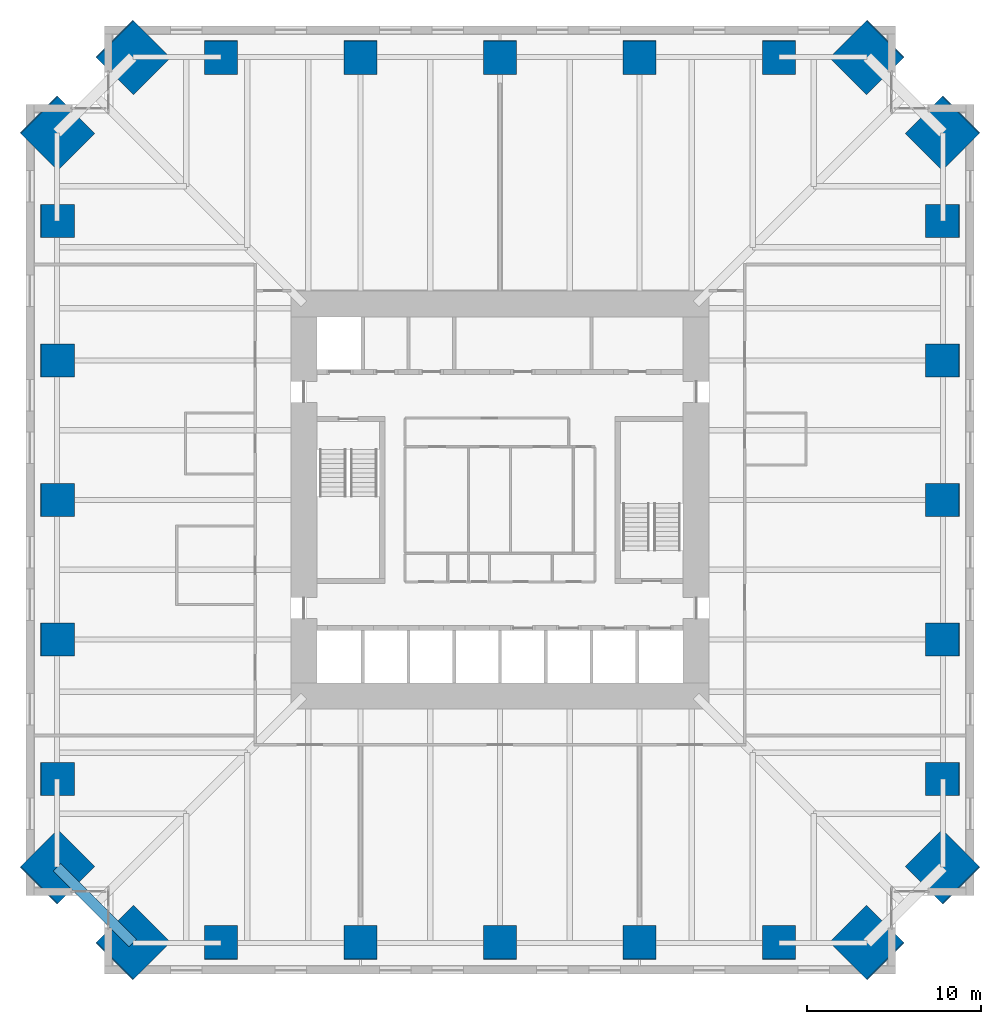
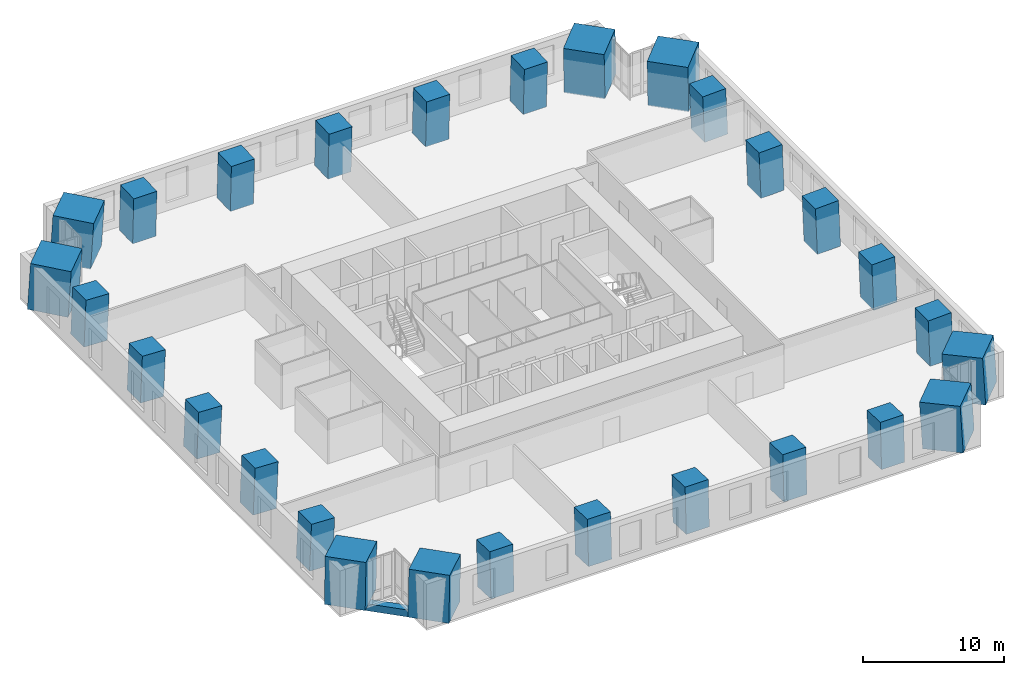
# One storey, part 1 of 16: 28 columns, 1 beam.
"""IFC4 building model written with IfcOpenShell, lengths in metres."""

from ifc_helpers import new_model, si_unit, direction, frame, origin, origin_2d, place, context, subcontext, project, spatial, rectangle, hollow_rectangle, extrude, material, material_profile, profile_set, type_object, element, save


model = new_model("IFC4")

# Units and contexts
model_context = context("Model", 3, precision=1e-05, world=origin(), true_north=direction((0.0, 1.0)))
body_context = subcontext(model_context, "Body", "Model", "MODEL_VIEW")
ifc_project = project(units=[si_unit("LENGTHUNIT", "METRE"), si_unit("AREAUNIT", "SQUARE_METRE"), si_unit("VOLUMEUNIT", "CUBIC_METRE"), si_unit("PLANEANGLEUNIT", "RADIAN"), si_unit("MASSUNIT", "GRAM", prefix="KILO")], contexts=[model_context])

# Site, building, storey
site_placement = place(None, origin())
site = spatial("IfcSite", under=ifc_project, at=site_placement, CompositionType="ELEMENT")
building_placement = place(site_placement, origin())
building = spatial("IfcBuilding", under=site, at=building_placement, Name="Peilmerk Tower", CompositionType="ELEMENT")
storey_placement = place(building_placement, frame((0.0, 0.0, 135.800048828125)))
storey = spatial("IfcBuildingStorey", under=building, at=storey_placement, Name="L27", CompositionType="ELEMENT", Elevation=135.800048828125)

# Columns
ifc_material_1 = material(Name="Concrete C90/105", Category="concrete")
ifc_material_profile_1 = material_profile(ifc_material_1, rectangle(XDim=3.0, YDim=3.0, at=origin_2d()), Name="RC 3000x3000")
ifc_profile_set_1 = profile_set([ifc_material_profile_1], Name="Concrete C90/105")
column_type_1 = type_object("IfcColumnType", Name="MC2 3000x3000 encased mega column", PredefinedType="COLUMN", material=ifc_profile_set_1)
for number, where, z_axis, x_axis, name in (
    (1, (21.071044921875, 25.4208984375, 0.0), (-0.040278830354, -0.040217894151, 0.998378754189), (0.706571297296, -0.707641859868, 0.0), "Mega column MC2 NE_N L27"),
    (2, (25.4208984375, 21.071044921875, 0.0), (-0.040217894151, -0.040278830354, 0.998378754189), (0.707641859868, -0.706571297296, 0.0), "Mega column MC2 NE_E L27"),
    (3, (25.4208984375, -21.071044921875, 0.0), (-0.040217894151, 0.040278830354, 0.998378754189), (-0.707641859868, -0.706571297296, 0.0), "Mega column MC2 SE_E L27"),
    (4, (21.071044921875, -25.4208984375, 0.0), (-0.040278830354, 0.040217894151, 0.998378754189), (-0.706571297296, -0.707641859868, 0.0), "Mega column MC2 SE_S L27"),
    (5, (-21.071044921875, -25.4208984375, 0.0), (0.040278830354, 0.040217894151, 0.998378754189), (-0.706571297296, 0.707641859868, 0.0), "Mega column MC2 SW_S L27"),
    (6, (-25.4208984375, -21.071044921875, 0.0), (0.040217894151, 0.040278830354, 0.998378754189), (-0.707641859868, 0.706571297296, 0.0), "Mega column MC2 SW_W L27"),
    (7, (-25.4208984375, 21.071044921875, 0.0), (0.040217894151, -0.040278830354, 0.998378754189), (0.707641859868, 0.706571297296, 0.0), "Mega column MC2 NW_W L27"),
    (8, (-21.071044921875, 25.4208984375, 0.0), (0.040278830354, -0.040217894151, 0.998378754189), (0.706571297296, 0.707641859868, 0.0), "Mega column MC2 NW_N L27"),
):
    element("IfcColumn", number, at=place(storey_placement, frame(where, z_axis=z_axis, x_axis=x_axis)), inside=storey, type_object=column_type_1, Name=name, PredefinedType="COLUMN", context=body_context, shape_type="SweptSolid", body=[
        extrude(rectangle(XDim=3.0, YDim=3.0, at=origin_2d()), origin(), (0.0, 0.0, 1.0), 4.006591796875),
    ])
ifc_material_profile_2 = material_profile(ifc_material_1, rectangle(XDim=1.89990234375, YDim=1.89990234375, at=origin_2d()), Name="RC 1900x1900")
ifc_profile_set_2 = profile_set([ifc_material_profile_2], Name="Concrete C90/105")
column_type_2 = type_object("IfcColumnType", Name="SC5 1900x1900 encased perimeter column", PredefinedType="COLUMN", material=ifc_profile_set_2)
for number, where, z_axis, x_axis, name in (
    (9, (0.0, 25.4208984375, 0.0), (0.0, -0.040250558339, 0.999189617917), (1.0, 0.0, 0.0), "Perimeter column N+0 L27"),
    (10, (8.0, 25.4208984375, 0.0), (0.0, -0.040250558339, 0.999189617917), (1.0, 0.0, 0.0), "Perimeter column N-8 L27"),
    (11, (-8.0, 25.4208984375, 0.0), (0.0, -0.040250558339, 0.999189617917), (1.0, 0.0, 0.0), "Perimeter column N+8 L27"),
    (12, (16.0, 25.4208984375, 0.0), (0.0, -0.040250558339, 0.999189617917), (1.0, 0.0, 0.0), "Perimeter column N-16 L27"),
    (13, (-16.0, 25.4208984375, 0.0), (0.0, -0.040250558339, 0.999189617917), (1.0, 0.0, 0.0), "Perimeter column N+16 L27"),
    (14, (25.4208984375, 0.0, 0.0), (-0.040250558339, 0.0, 0.999189617917), (0.0, -1.0, 0.0), "Perimeter column E+0 L27"),
    (15, (25.4208984375, -8.0, 0.0), (-0.040250558339, 0.0, 0.999189617917), (0.0, -1.0, 0.0), "Perimeter column E-8 L27"),
    (16, (25.4208984375, 8.0, 0.0), (-0.040250558339, 0.0, 0.999189617917), (0.0, -1.0, 0.0), "Perimeter column E+8 L27"),
    (17, (25.4208984375, -16.0, 0.0), (-0.040250558339, 0.0, 0.999189617917), (0.0, -1.0, 0.0), "Perimeter column E-16 L27"),
    (18, (25.4208984375, 16.0, 0.0), (-0.040250558339, 0.0, 0.999189617917), (0.0, -1.0, 0.0), "Perimeter column E+16 L27"),
    (19, (0.0, -25.4208984375, 0.0), (0.0, 0.040250558339, 0.999189617917), (-1.0, 0.0, 0.0), "Perimeter column S+0 L27"),
    (20, (-8.0, -25.4208984375, 0.0), (0.0, 0.040250558339, 0.999189617917), (-1.0, 0.0, 0.0), "Perimeter column S-8 L27"),
    (21, (8.0, -25.4208984375, 0.0), (0.0, 0.040250558339, 0.999189617917), (-1.0, 0.0, 0.0), "Perimeter column S+8 L27"),
    (22, (-16.0, -25.4208984375, 0.0), (0.0, 0.040250558339, 0.999189617917), (-1.0, 0.0, 0.0), "Perimeter column S-16 L27"),
    (23, (16.0, -25.4208984375, 0.0), (0.0, 0.040250558339, 0.999189617917), (-1.0, 0.0, 0.0), "Perimeter column S+16 L27"),
    (24, (-25.4208984375, 0.0, 0.0), (0.040250558339, 0.0, 0.999189617917), (0.0, 1.0, 0.0), "Perimeter column W+0 L27"),
    (25, (-25.4208984375, 8.0, 0.0), (0.040250558339, 0.0, 0.999189617917), (0.0, 1.0, 0.0), "Perimeter column W-8 L27"),
    (26, (-25.4208984375, -8.0, 0.0), (0.040250558339, 0.0, 0.999189617917), (0.0, 1.0, 0.0), "Perimeter column W+8 L27"),
    (27, (-25.4208984375, 16.0, 0.0), (0.040250558339, 0.0, 0.999189617917), (0.0, 1.0, 0.0), "Perimeter column W-16 L27"),
    (28, (-25.4208984375, -16.0, 0.0), (0.040250558339, 0.0, 0.999189617917), (0.0, 1.0, 0.0), "Perimeter column W+16 L27"),
):
    element("IfcColumn", number, at=place(storey_placement, frame(where, z_axis=z_axis, x_axis=x_axis)), inside=storey, type_object=column_type_2, Name=name, PredefinedType="COLUMN", context=body_context, shape_type="SweptSolid", body=[
        extrude(rectangle(XDim=1.89990234375, YDim=1.89990234375, at=origin_2d()), origin(), (0.0, 0.0, 1.0), 4.003173828125),
    ])

# Beam
ifc_material_2 = material(Name="Steel S460", Category="steel")
ifc_material_profile_3 = material_profile(ifc_material_2, hollow_rectangle(XDim=0.60009765625, YDim=0.60009765625, WallThickness=0.06005859375, at=origin_2d()), Name="BOX 600x600x60")
ifc_profile_set_3 = profile_set([ifc_material_profile_3], Name="Steel S460")
beam_type = type_object("IfcBeamType", Name="B20 BOX 600x600x60 notch beam", PredefinedType="SPANDREL", material=ifc_profile_set_3)
beam_placement = place(storey_placement, frame((-21.071044921875, -25.4208984375, -0.469970703125), z_axis=(-0.707106781187, 0.707106781187, 0.0), x_axis=(-0.707106781187, -0.707106781187, 0.0)))
element("IfcBeam", 29, at=beam_placement, inside=storey, type_object=beam_type, Name="Notch beam L27", PredefinedType="SPANDREL", context=body_context, shape_type="SweptSolid", body=[
    extrude(hollow_rectangle(XDim=0.60009765625, YDim=0.60009765625, WallThickness=0.06005859375, at=origin_2d()), origin(), (0.0, 0.0, 1.0), 6.151611328125),
])

save(model, "model.ifc")
